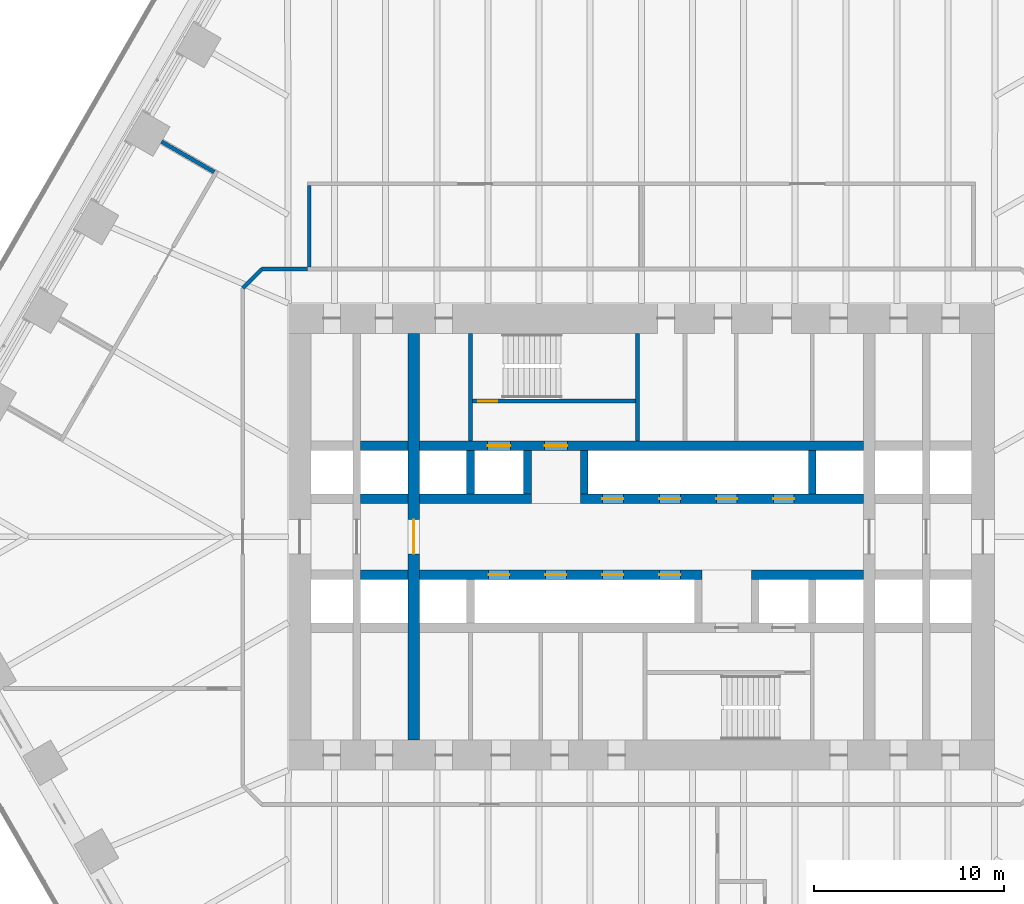
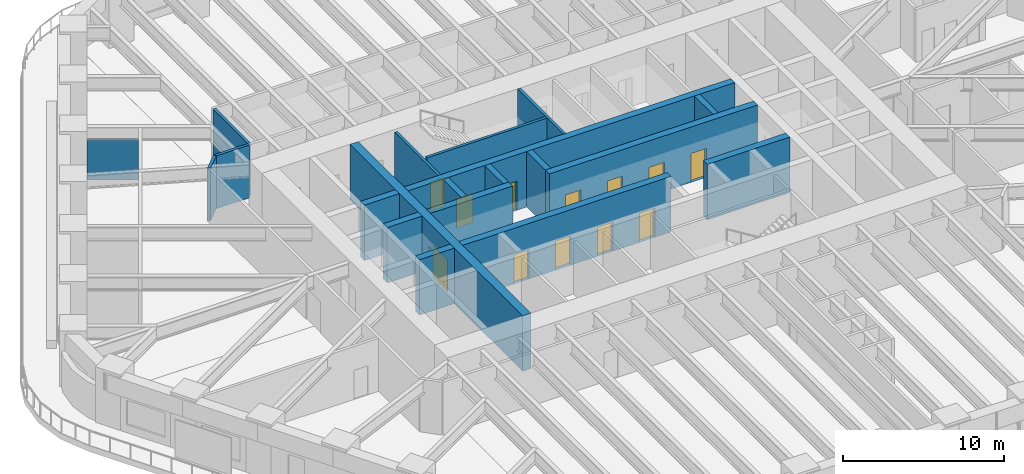
# One storey, part 18 of 24: 20 walls, 12 doors, 12 openings.
"""IFC4 building model written with IfcOpenShell, lengths in metres."""

from ifc_helpers import new_model, si_unit, direction, frame, frame_2d, origin, place, context, subcontext, project, spatial, rectangle, extrude, material, layer, layer_set, type_object, element, fill, save


model = new_model("IFC4")

# Units and contexts
model_context = context("Model", 3, precision=1e-05, world=origin(), true_north=direction((0.0, 1.0)))
body_context = subcontext(model_context, "Body", "Model", "MODEL_VIEW")
ifc_project = project(units=[si_unit("LENGTHUNIT", "METRE"), si_unit("AREAUNIT", "SQUARE_METRE"), si_unit("VOLUMEUNIT", "CUBIC_METRE"), si_unit("PLANEANGLEUNIT", "RADIAN"), si_unit("MASSUNIT", "GRAM", prefix="KILO")], contexts=[model_context])

# Site, building, storey
site_placement = place(None, origin())
site = spatial("IfcSite", under=ifc_project, at=site_placement, CompositionType="ELEMENT")
building_placement = place(site_placement, origin())
building = spatial("IfcBuilding", under=site, at=building_placement, Name="Tarfa Lantern Tower", CompositionType="ELEMENT")
storey_placement = place(building_placement, frame((0.0, 0.0, 94.89990234375)))
storey = spatial("IfcBuildingStorey", under=building, at=storey_placement, Name="L21", CompositionType="ELEMENT", Elevation=94.89990234375)

# Walls
ifc_material_1 = material(Name="Concrete blockwork", Category="masonry")
ifc_layer_1 = layer(ifc_material_1, 0.199951171875)
ifc_layer_set_1 = layer_set([ifc_layer_1], Name="IW1 BLOCKWORK PARTITION 200 EI 120")
wall_type_1 = type_object("IfcWallType", Name="IW1 BLOCKWORK PARTITION 200 EI 120", PredefinedType="PARTITIONING", material=ifc_layer_set_1)
wall_1_placement = place(storey_placement, frame((-9.0, 5.050048828125, 0.0), z_axis=(0.0, 0.0, 1.0), x_axis=(0.0, 1.0, 0.0)))
element("IfcWall", 1, at=wall_1_placement, inside=storey, type_object=wall_type_1, Name="Core partition", PredefinedType="PARTITIONING", context=body_context, shape_type="SweptSolid", body=[
    extrude(rectangle(XDim=5.64990234375, YDim=0.199951171875, at=frame_2d((2.824951171875, 0.0))), origin(), (0.0, 0.0, 1.0), 4.0),
])
ifc_material_2 = material(Name="Gypsum board on steel studs", Category="steel")
ifc_layer_2 = layer(ifc_material_2, 0.2099609375)
ifc_layer_set_2 = layer_set([ifc_layer_2], Name="IW2 ACOUSTIC PARTITION 200")
wall_type_2 = type_object("IfcWallType", Name="IW2 ACOUSTIC PARTITION 200", PredefinedType="PARTITIONING", material=ifc_layer_set_2)
wall_2_placement = place(storey_placement, frame((-17.5, 14.199951171875, 0.0), z_axis=(0.0, 0.0, 1.0), x_axis=(0.0, 1.0, 0.0)))
element("IfcWall", 2, at=wall_2_placement, inside=storey, type_object=wall_type_2, Name="Partition", PredefinedType="PARTITIONING", context=body_context, shape_type="SweptSolid", body=[
    extrude(rectangle(XDim=4.300048828125, YDim=0.199951171875, at=frame_2d((2.14990234375, 0.0))), origin(), (0.0, 0.0, 1.0), 4.0),
])
wall_3_placement = place(storey_placement, frame((-22.507080078125, 19.216552734375, 0.0), z_axis=(0.0, 0.0, 1.0), x_axis=(-0.866008981251, 0.500028443584, 0.0)))
element("IfcWall", 3, at=wall_3_placement, inside=storey, type_object=wall_type_2, Name="Partition", PredefinedType="PARTITIONING", context=body_context, shape_type="SweptSolid", body=[
    extrude(rectangle(XDim=3.199951171875, YDim=0.199951171875, at=frame_2d((1.60009765625, 0.0))), origin(), (0.0, 0.0, 1.0), 2.991943359375),
])
wall_4_placement = place(storey_placement, frame((-20.0, 14.10009765625, 0.0), z_axis=(0.0, 0.0, 1.0), x_axis=(1.0, 0.0, 0.0)))
element("IfcWall", 4, at=wall_4_placement, inside=storey, type_object=wall_type_2, Name="Partition", PredefinedType="PARTITIONING", context=body_context, shape_type="SweptSolid", body=[
    extrude(rectangle(XDim=2.39990234375, YDim=0.199951171875, at=frame_2d((1.199951171875, 0.0))), origin(), (0.0, 0.0, 1.0), 4.0),
])
wall_5_placement = place(storey_placement, frame((-21.0, 13.10009765625, 0.0), z_axis=(0.0, 0.0, 1.0), x_axis=(0.707106781187, 0.707106781187, 0.0)))
element("IfcWall", 5, at=wall_5_placement, inside=storey, type_object=wall_type_2, Name="Partition", PredefinedType="PARTITIONING", context=body_context, shape_type="SweptSolid", body=[
    extrude(rectangle(XDim=1.414306640625, YDim=0.199951171875, at=frame_2d((0.70703125, 0.0))), origin(), (0.0, 0.0, 1.0), 4.0),
])
ifc_material_3 = material(Name="Concrete C80/95", Category="concrete")
ifc_layer_3 = layer(ifc_material_3, 0.199951171875)
ifc_layer_set_3 = layer_set([ifc_layer_3], Name="SW12 CORE WALL 200")
wall_type_3 = type_object("IfcWallType", Name="SW12 CORE WALL 200", PredefinedType="SHEAR", material=ifc_layer_set_3)
wall_6_placement = place(storey_placement, frame((-0.199951171875, 5.050048828125, 0.0), z_axis=(0.0, 0.0, 1.0), x_axis=(0.0, 1.0, 0.0)))
element("IfcWall", 6, at=wall_6_placement, inside=storey, type_object=wall_type_3, Name="Core wall stair shaft N", PredefinedType="SHEAR", context=body_context, shape_type="SweptSolid", body=[
    extrude(rectangle(XDim=5.64990234375, YDim=0.199951171875, at=frame_2d((2.824951171875, 0.0))), origin(), (0.0, 0.0, 1.0), 4.2001953125),
])

# Wall, opening, door
wall_7_placement = place(storey_placement, frame((-8.89990234375, 7.14990234375, 0.0), z_axis=(0.0, 0.0, 1.0), x_axis=(1.0, 0.0, 0.0)))
wall_7 = element("IfcWall", 7, at=wall_7_placement, inside=storey, type_object=wall_type_3, Name="Core wall stair partition N", PredefinedType="SHEAR", context=body_context, shape_type="SweptSolid", body=[
    extrude(rectangle(XDim=8.599853515625, YDim=0.199951171875, at=frame_2d((4.2998046875, 0.0))), origin(), (0.0, 0.0, 1.0), 4.2001953125),
])
opening_1_placement = place(wall_7_placement, frame((0.300048828125, 0.0, 0.0)))
opening_1 = element("IfcOpeningElement", 8, at=opening_1_placement, cuts=wall_7, Name="Opening D23", PredefinedType="OPENING", context=body_context, shape_type="SweptSolid", body=[
    extrude(rectangle(XDim=1.0, YDim=2.199951171875, at=frame_2d((0.5, 1.10009765625))), frame((0.0, 0.10986328125, 0.0), z_axis=(0.0, -1.0, 0.0), x_axis=(1.0, 0.0, 0.0)), (0.0, 0.0, 1.0), 0.219970703125),
])
ifc_material_4 = material(Name="Steel fire door", Category="steel")
door_type_1 = type_object("IfcDoorType", Name="DF2 STAIR DOOR 1000x2200", OperationType="SINGLE_SWING_LEFT", PredefinedType="DOOR", material=ifc_material_4)
door_1_placement = place(opening_1_placement, origin())
door_1 = element("IfcDoor", 9, at=door_1_placement, inside=storey, type_object=door_type_1, Name="Stair door", OperationType="SINGLE_SWING_RIGHT", OverallHeight=2.199951171875, OverallWidth=1.0, PredefinedType="DOOR", context=body_context, shape_type="SweptSolid", body=[
    extrude(rectangle(XDim=1.0, YDim=2.199951171875, at=frame_2d((0.5, 1.10009765625))), frame((0.0, 0.02490234375, 0.0), z_axis=(0.0, -1.0, 0.0), x_axis=(1.0, 0.0, 0.0)), (0.0, 0.0, 1.0), 0.050048828125),
])
fill(opening_1, door_1)

# Walls
ifc_layer_4 = layer(ifc_material_3, 0.5)
ifc_layer_set_4 = layer_set([ifc_layer_4], Name="SW5 CORE WALL 500")
wall_type_4 = type_object("IfcWallType", Name="SW5 CORE WALL 500", PredefinedType="SHEAR", material=ifc_layer_set_4)
wall_8_placement = place(storey_placement, frame((-14.800048828125, 2.0, 0.0), z_axis=(0.0, 0.0, 1.0), x_axis=(1.0, 0.0, 0.0)))
element("IfcWall", 10, at=wall_8_placement, inside=storey, type_object=wall_type_4, Name="Core wall lobby west N", PredefinedType="SHEAR", context=body_context, shape_type="SweptSolid", body=[
    extrude(rectangle(XDim=2.5, YDim=0.5, at=frame_2d((1.25, 0.0))), origin(), (0.0, 0.0, 1.0), 4.2001953125),
])
wall_9_placement = place(storey_placement, frame((-11.699951171875, 2.0, 0.0), z_axis=(0.0, 0.0, 1.0), x_axis=(1.0, 0.0, 0.0)))
element("IfcWall", 11, at=wall_9_placement, inside=storey, type_object=wall_type_4, Name="Core wall lobby west N", PredefinedType="SHEAR", context=body_context, shape_type="SweptSolid", body=[
    extrude(rectangle(XDim=5.89990234375, YDim=0.5, at=frame_2d((2.949951171875, 0.0))), origin(), (0.0, 0.0, 1.0), 4.2001953125),
])

# Wall, openings, doors
wall_10_placement = place(storey_placement, frame((-3.199951171875, 2.0, 0.0), z_axis=(0.0, 0.0, 1.0), x_axis=(1.0, 0.0, 0.0)))
wall_10 = element("IfcWall", 12, at=wall_10_placement, inside=storey, type_object=wall_type_4, Name="Core wall lobby east N", PredefinedType="SHEAR", context=body_context, shape_type="SweptSolid", body=[
    extrude(rectangle(XDim=14.89990234375, YDim=0.5, at=frame_2d((7.449951171875, 0.0))), origin(), (0.0, 0.0, 1.0), 4.2001953125),
])
opening_2_placement = place(wall_10_placement, frame((1.14990234375, 0.0, 0.0)))
opening_2 = element("IfcOpeningElement", 13, at=opening_2_placement, cuts=wall_10, Name="Opening LD03", PredefinedType="OPENING", context=body_context, shape_type="SweptSolid", body=[
    extrude(rectangle(XDim=1.10009765625, YDim=2.199951171875, at=frame_2d((0.550048828125, 1.10009765625))), frame((0.0, 0.260009765625, 0.0), z_axis=(0.0, -1.0, 0.0), x_axis=(1.0, 0.0, 0.0)), (0.0, 0.0, 1.0), 0.52001953125),
])
opening_3_placement = place(wall_10_placement, frame((4.14990234375, 0.0, 0.0)))
opening_3 = element("IfcOpeningElement", 14, at=opening_3_placement, cuts=wall_10, Name="Opening LD04", PredefinedType="OPENING", context=body_context, shape_type="SweptSolid", body=[
    extrude(rectangle(XDim=1.10009765625, YDim=2.199951171875, at=frame_2d((0.550048828125, 1.10009765625))), frame((0.0, 0.260009765625, 0.0), z_axis=(0.0, -1.0, 0.0), x_axis=(1.0, 0.0, 0.0)), (0.0, 0.0, 1.0), 0.52001953125),
])
opening_4_placement = place(wall_10_placement, frame((7.14990234375, 0.0, 0.0)))
opening_4 = element("IfcOpeningElement", 15, at=opening_4_placement, cuts=wall_10, Name="Opening LD05", PredefinedType="OPENING", context=body_context, shape_type="SweptSolid", body=[
    extrude(rectangle(XDim=1.10009765625, YDim=2.199951171875, at=frame_2d((0.550048828125, 1.10009765625))), frame((0.0, 0.260009765625, 0.0), z_axis=(0.0, -1.0, 0.0), x_axis=(1.0, 0.0, 0.0)), (0.0, 0.0, 1.0), 0.52001953125),
])
opening_5_placement = place(wall_10_placement, frame((10.14990234375, 0.0, 0.0)))
opening_5 = element("IfcOpeningElement", 16, at=opening_5_placement, cuts=wall_10, Name="Opening LD06", PredefinedType="OPENING", context=body_context, shape_type="SweptSolid", body=[
    extrude(rectangle(XDim=1.10009765625, YDim=2.199951171875, at=frame_2d((0.550048828125, 1.10009765625))), frame((0.0, 0.260009765625, 0.0), z_axis=(0.0, -1.0, 0.0), x_axis=(1.0, 0.0, 0.0)), (0.0, 0.0, 1.0), 0.52001953125),
])
ifc_material_5 = material(Name="Stainless steel lift door", Category="steel")
door_type_2 = type_object("IfcDoorType", Name="LD2 LIFT LANDING DOOR 1100x2200", OperationType="SLIDING_TO_LEFT", PredefinedType="DOOR", material=ifc_material_5)
door_2_placement = place(opening_2_placement, frame((1.10009765625, 0.0, 0.0), z_axis=(0.0, 0.0, 1.0), x_axis=(-1.0, 0.0, 0.0)))
door_2 = element("IfcDoor", 17, at=door_2_placement, inside=storey, type_object=door_type_2, Name="Landing door PA1", OperationType="SLIDING_TO_LEFT", OverallHeight=2.199951171875, OverallWidth=1.10009765625, PredefinedType="DOOR", context=body_context, shape_type="SweptSolid", body=[
    extrude(rectangle(XDim=1.10009765625, YDim=2.199951171875, at=frame_2d((0.550048828125, 1.10009765625))), frame((0.0, 0.02490234375, 0.0), z_axis=(0.0, -1.0, 0.0), x_axis=(1.0, 0.0, 0.0)), (0.0, 0.0, 1.0), 0.050048828125),
])
fill(opening_2, door_2)
door_3_placement = place(opening_3_placement, frame((1.10009765625, 0.0, 0.0), z_axis=(0.0, 0.0, 1.0), x_axis=(-1.0, 0.0, 0.0)))
door_3 = element("IfcDoor", 18, at=door_3_placement, inside=storey, type_object=door_type_2, Name="Landing door PA2", OperationType="SLIDING_TO_LEFT", OverallHeight=2.199951171875, OverallWidth=1.10009765625, PredefinedType="DOOR", context=body_context, shape_type="SweptSolid", body=[
    extrude(rectangle(XDim=1.10009765625, YDim=2.199951171875, at=frame_2d((0.550048828125, 1.10009765625))), frame((0.0, 0.02490234375, 0.0), z_axis=(0.0, -1.0, 0.0), x_axis=(1.0, 0.0, 0.0)), (0.0, 0.0, 1.0), 0.050048828125),
])
fill(opening_3, door_3)
door_4_placement = place(opening_4_placement, frame((1.10009765625, 0.0, 0.0), z_axis=(0.0, 0.0, 1.0), x_axis=(-1.0, 0.0, 0.0)))
door_4 = element("IfcDoor", 19, at=door_4_placement, inside=storey, type_object=door_type_2, Name="Landing door PA3", OperationType="SLIDING_TO_LEFT", OverallHeight=2.199951171875, OverallWidth=1.10009765625, PredefinedType="DOOR", context=body_context, shape_type="SweptSolid", body=[
    extrude(rectangle(XDim=1.10009765625, YDim=2.199951171875, at=frame_2d((0.550048828125, 1.10009765625))), frame((0.0, 0.02490234375, 0.0), z_axis=(0.0, -1.0, 0.0), x_axis=(1.0, 0.0, 0.0)), (0.0, 0.0, 1.0), 0.050048828125),
])
fill(opening_4, door_4)
door_5_placement = place(opening_5_placement, frame((1.10009765625, 0.0, 0.0), z_axis=(0.0, 0.0, 1.0), x_axis=(-1.0, 0.0, 0.0)))
door_5 = element("IfcDoor", 20, at=door_5_placement, inside=storey, type_object=door_type_2, Name="Landing door PA4", OperationType="SLIDING_TO_LEFT", OverallHeight=2.199951171875, OverallWidth=1.10009765625, PredefinedType="DOOR", context=body_context, shape_type="SweptSolid", body=[
    extrude(rectangle(XDim=1.10009765625, YDim=2.199951171875, at=frame_2d((0.550048828125, 1.10009765625))), frame((0.0, 0.02490234375, 0.0), z_axis=(0.0, -1.0, 0.0), x_axis=(1.0, 0.0, 0.0)), (0.0, 0.0, 1.0), 0.050048828125),
])
fill(opening_5, door_5)

# Wall
wall_11_placement = place(storey_placement, frame((-14.800048828125, 4.800048828125, 0.0), z_axis=(0.0, 0.0, 1.0), x_axis=(1.0, 0.0, 0.0)))
element("IfcWall", 21, at=wall_11_placement, inside=storey, type_object=wall_type_4, Name="Core wall rear N", PredefinedType="SHEAR", context=body_context, shape_type="SweptSolid", body=[
    extrude(rectangle(XDim=2.5, YDim=0.5, at=frame_2d((1.25, 0.0))), origin(), (0.0, 0.0, 1.0), 4.2001953125),
])

# Wall, openings, doors
wall_12_placement = place(storey_placement, frame((-11.699951171875, 4.800048828125, 0.0), z_axis=(0.0, 0.0, 1.0), x_axis=(1.0, 0.0, 0.0)))
wall_12 = element("IfcWall", 22, at=wall_12_placement, inside=storey, type_object=wall_type_4, Name="Core wall rear N", PredefinedType="SHEAR", context=body_context, shape_type="SweptSolid", body=[
    extrude(rectangle(XDim=23.39990234375, YDim=0.5, at=frame_2d((11.699951171875, 0.0))), origin(), (0.0, 0.0, 1.0), 4.2001953125),
])
opening_6_placement = place(wall_12_placement, frame((6.60009765625, 0.0, 0.0)))
opening_6 = element("IfcOpeningElement", 23, at=opening_6_placement, cuts=wall_12, Name="Opening D13", PredefinedType="OPENING", context=body_context, shape_type="SweptSolid", body=[
    extrude(rectangle(XDim=1.199951171875, YDim=2.199951171875, at=frame_2d((0.60009765625, 1.10009765625))), frame((0.0, 0.260009765625, 0.0), z_axis=(0.0, -1.0, 0.0), x_axis=(1.0, 0.0, 0.0)), (0.0, 0.0, 1.0), 0.52001953125),
])
opening_7_placement = place(wall_12_placement, frame((3.60009765625, 0.0, 0.0)))
opening_7 = element("IfcOpeningElement", 24, at=opening_7_placement, cuts=wall_12, Name="Opening LD01", PredefinedType="OPENING", context=body_context, shape_type="SweptSolid", body=[
    extrude(rectangle(XDim=1.199951171875, YDim=2.199951171875, at=frame_2d((0.60009765625, 1.10009765625))), frame((0.0, 0.260009765625, 0.0), z_axis=(0.0, -1.0, 0.0), x_axis=(1.0, 0.0, 0.0)), (0.0, 0.0, 1.0), 0.52001953125),
])
door_type_3 = type_object("IfcDoorType", Name="DF1 FIREFIGHTING LOBBY DOOR 1200x2200", OperationType="SINGLE_SWING_LEFT", PredefinedType="DOOR", material=ifc_material_4)
door_6_placement = place(opening_6_placement, origin())
door_6 = element("IfcDoor", 25, at=door_6_placement, inside=storey, type_object=door_type_3, Name="Firefighting lobby door", OperationType="SINGLE_SWING_LEFT", OverallHeight=2.199951171875, OverallWidth=1.199951171875, PredefinedType="DOOR", context=body_context, shape_type="SweptSolid", body=[
    extrude(rectangle(XDim=1.199951171875, YDim=2.199951171875, at=frame_2d((0.60009765625, 1.10009765625))), frame((0.0, 0.02490234375, 0.0), z_axis=(0.0, -1.0, 0.0), x_axis=(1.0, 0.0, 0.0)), (0.0, 0.0, 1.0), 0.050048828125),
])
fill(opening_6, door_6)
door_type_4 = type_object("IfcDoorType", Name="LD1 LIFT LANDING DOOR 1200x2200", OperationType="SLIDING_TO_LEFT", PredefinedType="DOOR", material=ifc_material_5)
door_7_placement = place(opening_7_placement, origin())
door_7 = element("IfcDoor", 26, at=door_7_placement, inside=storey, type_object=door_type_4, Name="Landing door FL1", OperationType="SLIDING_TO_LEFT", OverallHeight=2.199951171875, OverallWidth=1.199951171875, PredefinedType="DOOR", context=body_context, shape_type="SweptSolid", body=[
    extrude(rectangle(XDim=1.199951171875, YDim=2.199951171875, at=frame_2d((0.60009765625, 1.10009765625))), frame((0.0, 0.02490234375, 0.0), z_axis=(0.0, -1.0, 0.0), x_axis=(1.0, 0.0, 0.0)), (0.0, 0.0, 1.0), 0.050048828125),
])
fill(opening_7, door_7)

# Wall
wall_13_placement = place(storey_placement, frame((11.699951171875, -2.0, 0.0), z_axis=(0.0, 0.0, 1.0), x_axis=(-1.0, 0.0, 0.0)))
element("IfcWall", 27, at=wall_13_placement, inside=storey, type_object=wall_type_4, Name="Core wall lobby west S", PredefinedType="SHEAR", context=body_context, shape_type="SweptSolid", body=[
    extrude(rectangle(XDim=5.89990234375, YDim=0.5, at=frame_2d((2.949951171875, 0.0))), origin(), (0.0, 0.0, 1.0), 4.2001953125),
])

# Wall, openings, doors
wall_14_placement = place(storey_placement, frame((3.199951171875, -2.0, 0.0), z_axis=(0.0, 0.0, 1.0), x_axis=(-1.0, 0.0, 0.0)))
wall_14 = element("IfcWall", 28, at=wall_14_placement, inside=storey, type_object=wall_type_4, Name="Core wall lobby east S", PredefinedType="SHEAR", context=body_context, shape_type="SweptSolid", body=[
    extrude(rectangle(XDim=14.89990234375, YDim=0.5, at=frame_2d((7.449951171875, 0.0))), origin(), (0.0, 0.0, 1.0), 4.2001953125),
])
opening_8_placement = place(wall_14_placement, frame((1.14990234375, 0.0, 0.0)))
opening_8 = element("IfcOpeningElement", 29, at=opening_8_placement, cuts=wall_14, Name="Opening LD07", PredefinedType="OPENING", context=body_context, shape_type="SweptSolid", body=[
    extrude(rectangle(XDim=1.10009765625, YDim=2.199951171875, at=frame_2d((0.550048828125, 1.10009765625))), frame((0.0, 0.260009765625, 0.0), z_axis=(0.0, -1.0, 0.0), x_axis=(1.0, 0.0, 0.0)), (0.0, 0.0, 1.0), 0.52001953125),
])
opening_9_placement = place(wall_14_placement, frame((4.14990234375, 0.0, 0.0)))
opening_9 = element("IfcOpeningElement", 30, at=opening_9_placement, cuts=wall_14, Name="Opening LD08", PredefinedType="OPENING", context=body_context, shape_type="SweptSolid", body=[
    extrude(rectangle(XDim=1.10009765625, YDim=2.199951171875, at=frame_2d((0.550048828125, 1.10009765625))), frame((0.0, 0.260009765625, 0.0), z_axis=(0.0, -1.0, 0.0), x_axis=(1.0, 0.0, 0.0)), (0.0, 0.0, 1.0), 0.52001953125),
])
opening_10_placement = place(wall_14_placement, frame((7.14990234375, 0.0, 0.0)))
opening_10 = element("IfcOpeningElement", 31, at=opening_10_placement, cuts=wall_14, Name="Opening LD09", PredefinedType="OPENING", context=body_context, shape_type="SweptSolid", body=[
    extrude(rectangle(XDim=1.10009765625, YDim=2.199951171875, at=frame_2d((0.550048828125, 1.10009765625))), frame((0.0, 0.260009765625, 0.0), z_axis=(0.0, -1.0, 0.0), x_axis=(1.0, 0.0, 0.0)), (0.0, 0.0, 1.0), 0.52001953125),
])
opening_11_placement = place(wall_14_placement, frame((10.14990234375, 0.0, 0.0)))
opening_11 = element("IfcOpeningElement", 32, at=opening_11_placement, cuts=wall_14, Name="Opening LD10", PredefinedType="OPENING", context=body_context, shape_type="SweptSolid", body=[
    extrude(rectangle(XDim=1.10009765625, YDim=2.199951171875, at=frame_2d((0.550048828125, 1.10009765625))), frame((0.0, 0.260009765625, 0.0), z_axis=(0.0, -1.0, 0.0), x_axis=(1.0, 0.0, 0.0)), (0.0, 0.0, 1.0), 0.52001953125),
])
door_8_placement = place(opening_8_placement, frame((1.10009765625, 0.0, 0.0), z_axis=(0.0, 0.0, 1.0), x_axis=(-1.0, 0.0, 0.0)))
door_8 = element("IfcDoor", 33, at=door_8_placement, inside=storey, type_object=door_type_2, Name="Landing door PA5", OperationType="SLIDING_TO_LEFT", OverallHeight=2.199951171875, OverallWidth=1.10009765625, PredefinedType="DOOR", context=body_context, shape_type="SweptSolid", body=[
    extrude(rectangle(XDim=1.10009765625, YDim=2.199951171875, at=frame_2d((0.550048828125, 1.10009765625))), frame((0.0, 0.02490234375, 0.0), z_axis=(0.0, -1.0, 0.0), x_axis=(1.0, 0.0, 0.0)), (0.0, 0.0, 1.0), 0.050048828125),
])
fill(opening_8, door_8)
door_9_placement = place(opening_9_placement, frame((1.10009765625, 0.0, 0.0), z_axis=(0.0, 0.0, 1.0), x_axis=(-1.0, 0.0, 0.0)))
door_9 = element("IfcDoor", 34, at=door_9_placement, inside=storey, type_object=door_type_2, Name="Landing door PA6", OperationType="SLIDING_TO_LEFT", OverallHeight=2.199951171875, OverallWidth=1.10009765625, PredefinedType="DOOR", context=body_context, shape_type="SweptSolid", body=[
    extrude(rectangle(XDim=1.10009765625, YDim=2.199951171875, at=frame_2d((0.550048828125, 1.10009765625))), frame((0.0, 0.02490234375, 0.0), z_axis=(0.0, -1.0, 0.0), x_axis=(1.0, 0.0, 0.0)), (0.0, 0.0, 1.0), 0.050048828125),
])
fill(opening_9, door_9)
door_10_placement = place(opening_10_placement, frame((1.10009765625, 0.0, 0.0), z_axis=(0.0, 0.0, 1.0), x_axis=(-1.0, 0.0, 0.0)))
door_10 = element("IfcDoor", 35, at=door_10_placement, inside=storey, type_object=door_type_2, Name="Landing door PA7", OperationType="SLIDING_TO_LEFT", OverallHeight=2.199951171875, OverallWidth=1.10009765625, PredefinedType="DOOR", context=body_context, shape_type="SweptSolid", body=[
    extrude(rectangle(XDim=1.10009765625, YDim=2.199951171875, at=frame_2d((0.550048828125, 1.10009765625))), frame((0.0, 0.02490234375, 0.0), z_axis=(0.0, -1.0, 0.0), x_axis=(1.0, 0.0, 0.0)), (0.0, 0.0, 1.0), 0.050048828125),
])
fill(opening_10, door_10)
door_11_placement = place(opening_11_placement, frame((1.10009765625, 0.0, 0.0), z_axis=(0.0, 0.0, 1.0), x_axis=(-1.0, 0.0, 0.0)))
door_11 = element("IfcDoor", 36, at=door_11_placement, inside=storey, type_object=door_type_2, Name="Landing door PA8", OperationType="SLIDING_TO_LEFT", OverallHeight=2.199951171875, OverallWidth=1.10009765625, PredefinedType="DOOR", context=body_context, shape_type="SweptSolid", body=[
    extrude(rectangle(XDim=1.10009765625, YDim=2.199951171875, at=frame_2d((0.550048828125, 1.10009765625))), frame((0.0, 0.02490234375, 0.0), z_axis=(0.0, -1.0, 0.0), x_axis=(1.0, 0.0, 0.0)), (0.0, 0.0, 1.0), 0.050048828125),
])
fill(opening_11, door_11)

# Walls
wall_15_placement = place(storey_placement, frame((-12.300048828125, -2.0, 0.0), z_axis=(0.0, 0.0, 1.0), x_axis=(-1.0, 0.0, 0.0)))
element("IfcWall", 37, at=wall_15_placement, inside=storey, type_object=wall_type_4, Name="Core wall lobby east S", PredefinedType="SHEAR", context=body_context, shape_type="SweptSolid", body=[
    extrude(rectangle(XDim=2.5, YDim=0.5, at=frame_2d((1.25, 0.0))), origin(), (0.0, 0.0, 1.0), 4.2001953125),
])
ifc_layer_5 = layer(ifc_material_3, 0.39990234375)
ifc_layer_set_5 = layer_set([ifc_layer_5], Name="SW6 CORE WALL 400")
wall_type_5 = type_object("IfcWallType", Name="SW6 CORE WALL 400", PredefinedType="SHEAR", material=ifc_layer_set_5)
for number, where, z_axis, x_axis, name in (
    (38, (-9.0, 2.25, 0.0), (0.0, 0.0, 1.0), (0.0, 1.0, 0.0), "Core wall divider N"),
    (39, (-6.0, 2.25, 0.0), (0.0, 0.0, 1.0), (0.0, 1.0, 0.0), "Core wall divider N"),
    (40, (-3.0, 2.25, 0.0), (0.0, 0.0, 1.0), (0.0, 1.0, 0.0), "Core wall divider N"),
    (41, (9.0, 2.25, 0.0), (0.0, 0.0, 1.0), (0.0, 1.0, 0.0), "Core wall divider N"),
):
    element("IfcWall", number, at=place(storey_placement, frame(where, z_axis=z_axis, x_axis=x_axis)), inside=storey, type_object=wall_type_5, Name=name, PredefinedType="SHEAR", context=body_context, shape_type="SweptSolid", body=[
        extrude(rectangle(XDim=2.300048828125, YDim=0.39990234375, at=frame_2d((1.14990234375, 0.0))), origin(), (0.0, 0.0, 1.0), 4.2001953125),
    ])

# Wall, opening, door
ifc_layer_6 = layer(ifc_material_3, 0.60009765625)
ifc_layer_set_6 = layer_set([ifc_layer_6], Name="SW9 CORE WALL 600")
wall_type_6 = type_object("IfcWallType", Name="SW9 CORE WALL 600", PredefinedType="SHEAR", material=ifc_layer_set_6)
wall_16_placement = place(storey_placement, frame((-12.0, -10.699951171875, 0.0), z_axis=(0.0, 0.0, 1.0), x_axis=(0.0, 1.0, 0.0)))
wall_16 = element("IfcWall", 42, at=wall_16_placement, inside=storey, type_object=wall_type_6, Name="Core wall cross 12 m west", PredefinedType="SHEAR", context=body_context, shape_type="SweptSolid", body=[
    extrude(rectangle(XDim=21.39990234375, YDim=0.60009765625, at=frame_2d((10.699951171875, 0.0))), origin(), (0.0, 0.0, 1.0), 4.2001953125),
])
opening_12_placement = place(wall_16_placement, frame((9.800048828125, 0.0, 0.0)))
opening_12 = element("IfcOpeningElement", 43, at=opening_12_placement, cuts=wall_16, Name="Opening D27", PredefinedType="OPENING", context=body_context, shape_type="SweptSolid", body=[
    extrude(rectangle(XDim=1.800048828125, YDim=2.39990234375, at=frame_2d((0.89990234375, 1.199951171875))), frame((0.0, 0.31005859375, 0.0), z_axis=(0.0, -1.0, 0.0), x_axis=(1.0, 0.0, 0.0)), (0.0, 0.0, 1.0), 0.6201171875),
])
door_type_5 = type_object("IfcDoorType", Name="DL1 LOBBY DOOR 1800x2400", OperationType="DOUBLE_DOOR_SINGLE_SWING", PredefinedType="DOOR", material=ifc_material_4)
door_12_placement = place(opening_12_placement, origin())
door_12 = element("IfcDoor", 44, at=door_12_placement, inside=storey, type_object=door_type_5, Name="Lift lobby door", OperationType="DOUBLE_DOOR_SINGLE_SWING", OverallHeight=2.39990234375, OverallWidth=1.800048828125, PredefinedType="DOOR", context=body_context, shape_type="SweptSolid", body=[
    extrude(rectangle(XDim=1.800048828125, YDim=2.39990234375, at=frame_2d((0.89990234375, 1.199951171875))), frame((0.0, 0.02490234375, 0.0), z_axis=(0.0, -1.0, 0.0), x_axis=(1.0, 0.0, 0.0)), (0.0, 0.0, 1.0), 0.050048828125),
])
fill(opening_12, door_12)

save(model, "model.ifc")
